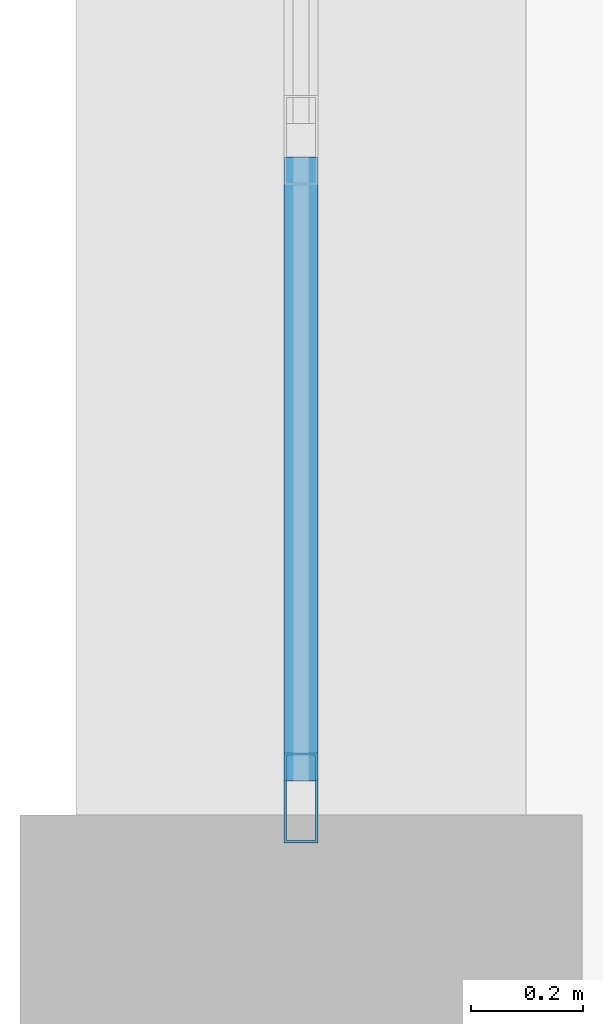
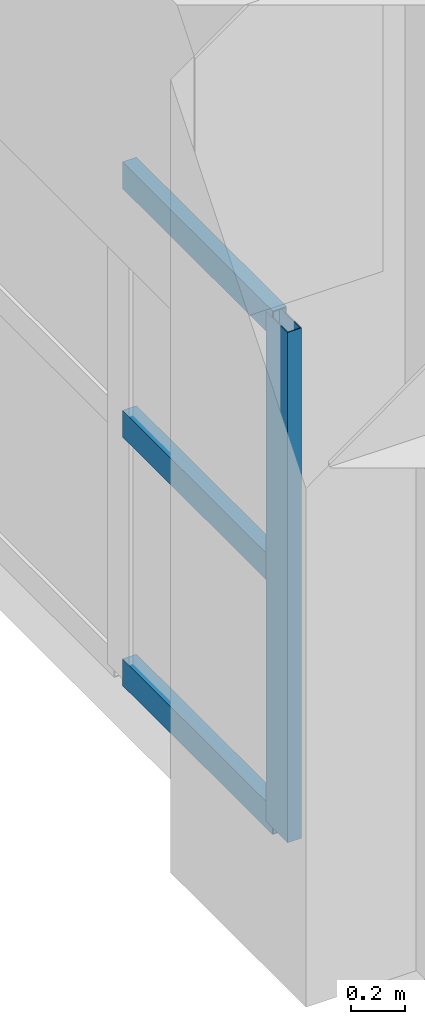
# One storey, part 8 of 74: 4 members, 1 element without a shape of its own.
"""IFC4 building model written with IfcOpenShell, lengths in metres."""

from ifc_helpers import new_model, si_unit, direction, frame, origin, origin_2d, place, context, subcontext, project, spatial, hollow_rectangle, extrude, material, layer, layer_set, material_profile, profile_set, type_object, element, aggregate, save


model = new_model("IFC4")

# Units and contexts
model_context = context("Model", 3, precision=1e-05, world=origin(), true_north=direction((0.0, 1.0)))
body_context = subcontext(model_context, "Body", "Model", "MODEL_VIEW")
ifc_project = project(units=[si_unit("LENGTHUNIT", "METRE"), si_unit("AREAUNIT", "SQUARE_METRE"), si_unit("VOLUMEUNIT", "CUBIC_METRE"), si_unit("PLANEANGLEUNIT", "RADIAN"), si_unit("MASSUNIT", "GRAM", prefix="KILO")], contexts=[model_context])

# Site, building, storey
site_placement = place(None, origin())
site = spatial("IfcSite", under=ifc_project, at=site_placement, CompositionType="ELEMENT")
building_placement = place(site_placement, origin())
building = spatial("IfcBuilding", under=site, at=building_placement, Name="Muzn Square Opera House", CompositionType="ELEMENT")
storey_placement = place(building_placement, frame((0.0, 0.0, 14.199951171875)))
storey = spatial("IfcBuildingStorey", under=building, at=storey_placement, Name="L03", CompositionType="ELEMENT", Elevation=14.199951171875)

# Curtain wall, members
ifc_material_1 = material(Name="Low-E laminated acoustic double glazing", Category="glass")
ifc_layer = layer(ifc_material_1, 0.159912109375, Name="Low-E laminated acoustic double glazing", Category="glass")
ifc_layer_set = layer_set([ifc_layer], Name="Low-E laminated acoustic double glazing")
curtain_wall_type = type_object("IfcCurtainWallType", Name="Glazed Curtain Wall WestVaultCourt 3600x2300", PredefinedType="USERDEFINED", material=ifc_layer_set)
curtain_wall_placement = place(storey_placement, origin())
curtain_wall = element("IfcCurtainWall", 1, at=curtain_wall_placement, inside=storey, type_object=curtain_wall_type, Name="Glazed Curtain Wall CW-L03-065", ObjectType="GLAZED CURTAIN WALL", PredefinedType="USERDEFINED")
ifc_material_2 = material(Name="Anodised bronze aluminium 6063-T6", Category="metal")
ifc_material_profile_1 = material_profile(ifc_material_2, hollow_rectangle(XDim=0.06005859375, YDim=0.159912109375, WallThickness=0.00390625, at=origin_2d()), Name="ALU 160x60x4", Category="metal")
ifc_profile_set_1 = profile_set([ifc_material_profile_1], Name="Anodised bronze aluminium 6063-T6")
member_type_1 = type_object("IfcMemberType", Name="Curtain Wall Mullion 160x60", PredefinedType="MULLION", material=ifc_profile_set_1)
member_1_placement = place(storey_placement, frame((43.0, 45.530029296875, 0.0), z_axis=(0.0, 0.0, 1.0), x_axis=(-1.0, 0.0, 0.0)))
member_1 = element("IfcMember", 2, at=member_1_placement, type_object=member_type_1, Name="CW-WVC-36x23 mullion 1", PredefinedType="MULLION", context=body_context, shape_type="SweptSolid", body=[
    extrude(hollow_rectangle(XDim=0.06005859375, YDim=0.159912109375, WallThickness=0.00390625, at=origin_2d()), origin(), (0.0, 0.0, 1.0), 2.300048828125),
])
ifc_material_profile_2 = material_profile(ifc_material_2, hollow_rectangle(XDim=0.06005859375, YDim=0.1201171875, WallThickness=0.00390625, at=origin_2d()), Name="ALU 120x60x4", Category="metal")
ifc_profile_set_2 = profile_set([ifc_material_profile_2], Name="Anodised bronze aluminium 6063-T6")
member_type_2 = type_object("IfcMemberType", Name="Curtain Wall Transom 120x60", PredefinedType="USERDEFINED", material=ifc_profile_set_2)
member_2_placement = place(storey_placement, frame((43.0, 45.56005859375, 0.030029296875), z_axis=(0.0, 1.0, 0.0), x_axis=(-1.0, 0.0, 0.0)))
member_2 = element("IfcMember", 3, at=member_2_placement, type_object=member_type_2, Name="CW-WVC-36x23 transom 1.1", ObjectType="TRANSOM", PredefinedType="USERDEFINED", context=body_context, shape_type="SweptSolid", body=[
    extrude(hollow_rectangle(XDim=0.06005859375, YDim=0.1201171875, WallThickness=0.00390625, at=origin_2d()), origin(), (0.0, 0.0, 1.0), 1.10986328125),
])
member_3_placement = place(storey_placement, frame((43.0, 45.56005859375, 1.150146484375), z_axis=(0.0, 1.0, 0.0), x_axis=(-1.0, 0.0, 0.0)))
member_3 = element("IfcMember", 4, at=member_3_placement, type_object=member_type_2, Name="CW-WVC-36x23 transom 1.2", ObjectType="TRANSOM", PredefinedType="USERDEFINED", context=body_context, shape_type="SweptSolid", body=[
    extrude(hollow_rectangle(XDim=0.06005859375, YDim=0.1201171875, WallThickness=0.00390625, at=origin_2d()), origin(), (0.0, 0.0, 1.0), 1.10986328125),
])
member_4_placement = place(storey_placement, frame((43.0, 45.56005859375, 2.27001953125), z_axis=(0.0, 1.0, 0.0), x_axis=(-1.0, 0.0, 0.0)))
member_4 = element("IfcMember", 5, at=member_4_placement, type_object=member_type_2, Name="CW-WVC-36x23 transom 1.3", ObjectType="TRANSOM", PredefinedType="USERDEFINED", context=body_context, shape_type="SweptSolid", body=[
    extrude(hollow_rectangle(XDim=0.06005859375, YDim=0.1201171875, WallThickness=0.00390625, at=origin_2d()), origin(), (0.0, 0.0, 1.0), 1.10986328125),
])
aggregate(curtain_wall, [member_1, member_2, member_3, member_4])

save(model, "model.ifc")
